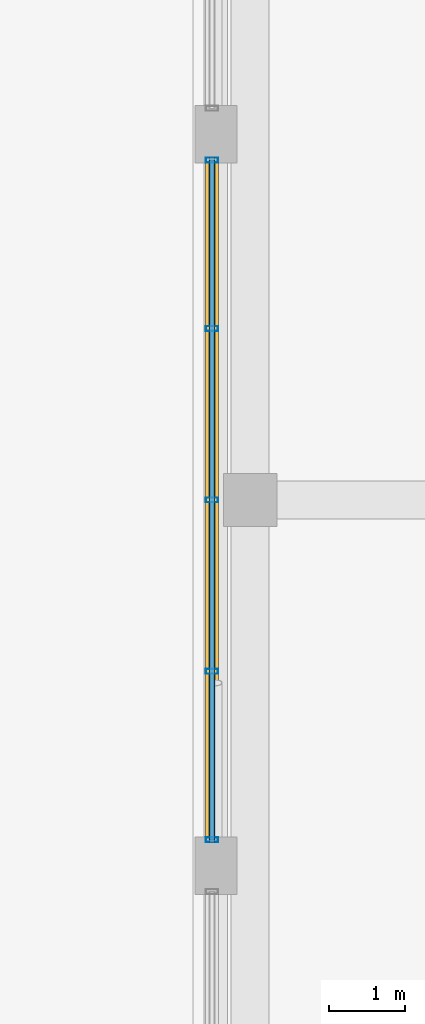
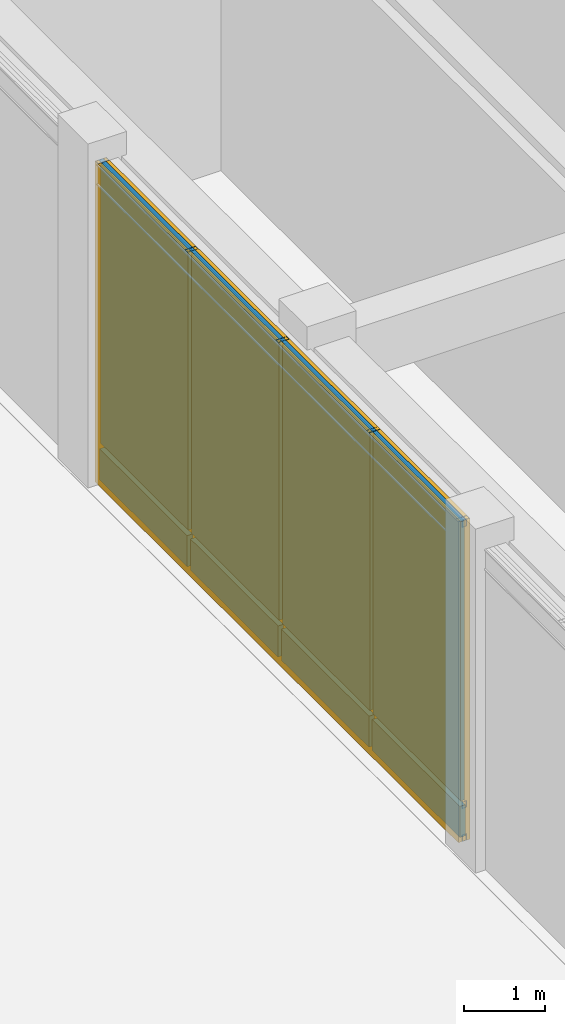
# One storey, part 15 of 24: 8 members, 8 plates, 1 curtain wall.
"""IFC4 building model written with IfcOpenShell, lengths in metres."""

import ifcopenshell
import ifcopenshell.guid

model = None  # the IFC model being written
_history = None  # IfcOwnerHistory: only IFC2X3 demands one
_inside = {}  # id of a spatial element -> (the spatial element, [elements in it])
_under = {}  # id of a project, library or spatial element -> (it, [spatial elements below it])
_declared = {}  # id of a project -> (the project, [libraries it declares])
_typed = {}  # id of a type object -> (the type object, [elements of that type])
_made_of = {}  # id of a material, layer set ... -> (it, [elements and type objects made of it])


def new_model(schema):
    """Start an empty IFC model of exactly this schema.

    Asked for "IFC4X3", IfcOpenShell would pick the latest addendum, in which some entities
    have other attributes; the version numbers below select the first issue.
    IFC2X3 requires an IfcOwnerHistory on every rooted entity: one is made here for all.
    """
    global model, _history
    if schema == "IFC4X3":
        model = ifcopenshell.file(schema_version=(4, 3, 0, 0))
    else:
        model = ifcopenshell.file(schema=schema)
    _inside.clear()
    _under.clear()
    _declared.clear()
    _typed.clear()
    _made_of.clear()
    _history = None
    if model.schema == "IFC2X3":
        org = make("IfcOrganization", Name="unknown")
        user = make(
            "IfcPersonAndOrganization",
            ThePerson=make("IfcPerson", FamilyName="unknown"),
            TheOrganization=org,
        )
        app = make(
            "IfcApplication",
            ApplicationDeveloper=org,
            Version="unknown",
            ApplicationFullName="unknown",
            ApplicationIdentifier="unknown",
        )
        _history = make(
            "IfcOwnerHistory",
            OwningUser=user,
            OwningApplication=app,
            ChangeAction="ADDED",
            CreationDate=0,
        )
    return model


def make(cls, **values):
    """One entity of the class cls with the attributes given. An attribute that is None is left unset."""
    return model.create_entity(
        cls, **{name: value for name, value in values.items() if value is not None}
    )


def rooted(cls, **values):
    """An entity with a GlobalId (a new one), such as an element, a storey or a relation."""
    return make(cls, GlobalId=ifcopenshell.guid.new(), OwnerHistory=_history, **values)


def si_unit(unit_type, name, prefix=None):
    """IfcSIUnit, for example si_unit("LENGTHUNIT", "METRE", prefix="MILLI")."""
    return make("IfcSIUnit", UnitType=unit_type, Prefix=prefix, Name=name)


def assignment(units):
    """IfcUnitAssignment: the units of a project."""
    return None if units is None else make("IfcUnitAssignment", Units=units)


def point(xyz):
    """IfcCartesianPoint."""
    return None if xyz is None else make("IfcCartesianPoint", Coordinates=xyz)


def direction(xyz):
    """IfcDirection."""
    return None if xyz is None else make("IfcDirection", DirectionRatios=xyz)


def frame(location, z_axis=None, x_axis=None):
    """IfcAxis2Placement3D, a coordinate frame: its origin and axes. An axis left out is left unset."""
    return make(
        "IfcAxis2Placement3D",
        Location=point(location),
        Axis=direction(z_axis),
        RefDirection=direction(x_axis),
    )


def frame_2d(location, x_axis=None):
    """IfcAxis2Placement2D, a coordinate frame in the plane: its origin and x axis."""
    return make(
        "IfcAxis2Placement2D", Location=point(location), RefDirection=direction(x_axis)
    )


def origin():
    """The frame at (0, 0, 0) with its axes left unset."""
    return frame((0.0, 0.0, 0.0))


def origin_2d():
    """The frame at (0, 0) in the plane with its x axis left unset."""
    return frame_2d((0.0, 0.0))


def place(relative_to, where):
    """IfcLocalPlacement: puts the frame where relative to a parent placement (None: the world)."""
    return make(
        "IfcLocalPlacement", PlacementRelTo=relative_to, RelativePlacement=where
    )


def context(
    kind, dimensions, precision=None, world=None, true_north=None, identifier=None
):
    """IfcGeometricRepresentationContext, for example the 3D "Model" context."""
    return make(
        "IfcGeometricRepresentationContext",
        ContextIdentifier=identifier,
        ContextType=kind,
        CoordinateSpaceDimension=dimensions,
        Precision=precision,
        WorldCoordinateSystem=world,
        TrueNorth=true_north,
    )


def subcontext(parent, identifier, kind, view, scale=None):
    """IfcGeometricRepresentationSubContext, for example "Body" below "Model"."""
    return make(
        "IfcGeometricRepresentationSubContext",
        ContextIdentifier=identifier,
        ContextType=kind,
        ParentContext=parent,
        TargetScale=scale,
        TargetView=view,
    )


def project(units=None, contexts=None):
    """IfcProject with its units and contexts."""
    return rooted(
        "IfcProject",
        Name="project",
        RepresentationContexts=contexts,
        UnitsInContext=assignment(units),
    )


def spatial(cls, under=None, at=None, **own):
    """A site, building, storey or space (cls), placed at a placement, below another one or the project."""
    s = rooted(cls, ObjectPlacement=at, **own)
    if under is not None:
        _under.setdefault(under.id(), (under, []))[1].append(s)
    return s


def profile(cls, at=None, kind="AREA", **sizes):
    """A parametric profile (cls). Its sizes go by their IFC names, for example OverallWidth=200.0."""
    return make(cls, ProfileType=kind, Position=at, **sizes)


def rectangle(**sizes):
    """IfcRectangleProfileDef."""
    return profile("IfcRectangleProfileDef", **sizes)


def hollow_rectangle(**sizes):
    """IfcRectangleHollowProfileDef."""
    return profile("IfcRectangleHollowProfileDef", **sizes)


def extrude(swept, where, along, depth):
    """IfcExtrudedAreaSolid: the profile swept, set in the frame where, extruded along a direction by depth."""
    return make(
        "IfcExtrudedAreaSolid",
        SweptArea=swept,
        Position=where,
        ExtrudedDirection=direction(along),
        Depth=depth,
    )


def shape(context_of_items, identifier, shape_type, items):
    """IfcShapeRepresentation: the items that make up one representation, for example the "Body"."""
    return make(
        "IfcShapeRepresentation",
        ContextOfItems=context_of_items,
        RepresentationIdentifier=identifier,
        RepresentationType=shape_type,
        Items=items,
    )


def material(Name=None, Category=None):
    """IfcMaterial."""
    return make("IfcMaterial", Name=Name, Category=Category)


def layer(
    of_material, thickness, ventilated=None, Name=None, Category=None, Priority=None
):
    """IfcMaterialLayer: one layer of a wall or slab, of a material (None: an air gap)."""
    return make(
        "IfcMaterialLayer",
        Material=of_material,
        LayerThickness=thickness,
        IsVentilated=ventilated,
        Name=Name,
        Category=Category,
        Priority=Priority,
    )


def layer_set(layers, Name=None):
    """IfcMaterialLayerSet."""
    return make("IfcMaterialLayerSet", MaterialLayers=layers, LayerSetName=Name)


def material_profile(
    of_material, cross_section, Name=None, Category=None, Priority=None
):
    """IfcMaterialProfile: a cross section and its material."""
    return make(
        "IfcMaterialProfile",
        Name=Name,
        Material=of_material,
        Profile=cross_section,
        Priority=Priority,
        Category=Category,
    )


def profile_set(profiles, Name=None, composite=None):
    """IfcMaterialProfileSet."""
    return make(
        "IfcMaterialProfileSet",
        Name=Name,
        MaterialProfiles=profiles,
        CompositeProfile=composite,
    )


def made_of(thing, what):
    """Note that an element or type object is made of a material, layer set ...; save() writes the relation."""
    if what is not None:
        _made_of.setdefault(what.id(), (what, []))[1].append(thing)
    return thing


def type_object(cls, material=None, **own):
    """A type object (cls), such as IfcWallType, which elements share."""
    return made_of(rooted(cls, **own), material)


def element(
    cls,
    number,
    at=None,
    inside=None,
    cuts=None,
    type_object=None,
    material=None,
    context=None,
    identifier="Body",
    shape_type=None,
    held_by="IfcProductDefinitionShape",
    body=None,
    shapes=None,
    **own,
):
    """One element of the class cls, such as IfcWall. Its Tag is "e" and its number.

    at: its placement. inside: the storey or other place that contains it. cuts: it is an
    opening in that element (IfcRelVoidsElement). A single representation is given by context,
    identifier, shape_type and body (its items); several are given by shapes. held_by: the class
    of the entity that holds the representations. save() writes the other relations.
    """
    e = rooted(cls, Tag="e%d" % number, ObjectPlacement=at, **own)
    if body is not None:
        shapes = [shape(context, identifier, shape_type, body)]
    if shapes is not None:
        e.Representation = make(held_by, Representations=shapes)
    if inside is not None:
        _inside.setdefault(inside.id(), (inside, []))[1].append(e)
    if cuts is not None:
        rooted(
            "IfcRelVoidsElement", RelatingBuildingElement=cuts, RelatedOpeningElement=e
        )
    if type_object is not None:
        _typed.setdefault(type_object.id(), (type_object, []))[1].append(e)
    return made_of(e, material)


def aggregate(whole, parts):
    """IfcRelAggregates: a whole, such as a stair, and the parts it consists of."""
    return rooted("IfcRelAggregates", RelatingObject=whole, RelatedObjects=parts)


def save(model, path):
    """Write the relations noted so far, then the file.

    IfcRelAggregates (storeys below a building ...), IfcRelContainedInSpatialStructure (elements
    in a storey), IfcRelDefinesByType, IfcRelAssociatesMaterial and IfcRelDeclares: one each for
    every whole, place, type object, material and project.
    """
    for whole, parts in _under.values():
        aggregate(whole, parts)
    for where, things in _inside.values():
        rooted(
            "IfcRelContainedInSpatialStructure",
            RelatedElements=things,
            RelatingStructure=where,
        )
    for kind, things in _typed.values():
        rooted("IfcRelDefinesByType", RelatedObjects=things, RelatingType=kind)
    for what, things in _made_of.values():
        rooted("IfcRelAssociatesMaterial", RelatedObjects=things, RelatingMaterial=what)
    for by, libraries in _declared.values():
        rooted("IfcRelDeclares", RelatingContext=by, RelatedDefinitions=libraries)
    model.write(path)


model = new_model("IFC4")

# Units and contexts
model_context = context("Model", 3, precision=1e-05, world=origin(), true_north=direction((0.0, 1.0)))
body_context = subcontext(model_context, "Body", "Model", "MODEL_VIEW")
ifc_project = project(units=[si_unit("LENGTHUNIT", "METRE"), si_unit("AREAUNIT", "SQUARE_METRE"), si_unit("VOLUMEUNIT", "CUBIC_METRE"), si_unit("PLANEANGLEUNIT", "RADIAN"), si_unit("MASSUNIT", "GRAM", prefix="KILO")], contexts=[model_context])

# Member
ifc_material_1 = material(Name="Anodized Aluminium 6063-T6", Category="aluminium")
ifc_material_profile_1 = material_profile(ifc_material_1, hollow_rectangle(XDim=0.06494140625, YDim=0.159912109375, WallThickness=0.00390625, at=origin_2d()), Name="Anodized Aluminium 6063-T6")
ifc_profile_set_1 = profile_set([ifc_material_profile_1], Name="Anodized Aluminium 6063-T6")
member_type_1 = type_object("IfcMemberType", Name="Curtain Wall Mullion 160", PredefinedType="MULLION", material=ifc_profile_set_1)
site_placement = place(None, origin())
building_placement = place(site_placement, origin())
storey_placement = place(building_placement, origin())
member_1_placement = place(storey_placement, frame((85.449951171875, 33.93994140625, 0.0), z_axis=(0.0, 0.0, 1.0), x_axis=(0.0, 1.0, 0.0)))
member_1 = element("IfcMember", 1, at=member_1_placement, type_object=member_type_1, Name="Curtain Wall Mullion CW-L00-LCOL-4-M01", PredefinedType="MULLION", context=body_context, shape_type="SweptSolid", body=[
    extrude(hollow_rectangle(XDim=0.06494140625, YDim=0.159912109375, WallThickness=0.00390625, at=origin_2d()), origin(), (0.0, 0.0, 1.0), 4.85009765625),
])

member_2_placement = place(storey_placement, frame((85.449951171875, 36.14990234375, 0.0), z_axis=(0.0, 0.0, 1.0), x_axis=(0.0, 1.0, 0.0)))
member_2 = element("IfcMember", 2, at=member_2_placement, type_object=member_type_1, Name="Curtain Wall Mullion CW-L00-LCOL-4-M02", PredefinedType="MULLION", context=body_context, shape_type="SweptSolid", body=[
    extrude(hollow_rectangle(XDim=0.06494140625, YDim=0.159912109375, WallThickness=0.00390625, at=origin_2d()), origin(), (0.0, 0.0, 1.0), 4.85009765625),
])

member_3_placement = place(storey_placement, frame((85.449951171875, 38.39990234375, 0.0), z_axis=(0.0, 0.0, 1.0), x_axis=(0.0, 1.0, 0.0)))
member_3 = element("IfcMember", 3, at=member_3_placement, type_object=member_type_1, Name="Curtain Wall Mullion CW-L00-LCOL-4-M03", PredefinedType="MULLION", context=body_context, shape_type="SweptSolid", body=[
    extrude(hollow_rectangle(XDim=0.06494140625, YDim=0.159912109375, WallThickness=0.00390625, at=origin_2d()), origin(), (0.0, 0.0, 1.0), 4.85009765625),
])

member_4_placement = place(storey_placement, frame((85.449951171875, 40.64990234375, 0.0), z_axis=(0.0, 0.0, 1.0), x_axis=(0.0, 1.0, 0.0)))
member_4 = element("IfcMember", 4, at=member_4_placement, type_object=member_type_1, Name="Curtain Wall Mullion CW-L00-LCOL-4-M04", PredefinedType="MULLION", context=body_context, shape_type="SweptSolid", body=[
    extrude(hollow_rectangle(XDim=0.06494140625, YDim=0.159912109375, WallThickness=0.00390625, at=origin_2d()), origin(), (0.0, 0.0, 1.0), 4.85009765625),
])

member_5_placement = place(storey_placement, frame((85.449951171875, 42.860107421875, 0.0), z_axis=(0.0, 0.0, 1.0), x_axis=(0.0, 1.0, 0.0)))
member_5 = element("IfcMember", 5, at=member_5_placement, type_object=member_type_1, Name="Curtain Wall Mullion CW-L00-LCOL-4-M05", PredefinedType="MULLION", context=body_context, shape_type="SweptSolid", body=[
    extrude(hollow_rectangle(XDim=0.06494140625, YDim=0.159912109375, WallThickness=0.00390625, at=origin_2d()), origin(), (0.0, 0.0, 1.0), 4.85009765625),
])

ifc_material_profile_2 = material_profile(ifc_material_1, hollow_rectangle(XDim=0.06005859375, YDim=0.10009765625, WallThickness=0.0029296875, at=origin_2d()), Name="Anodized Aluminium 6063-T6")
ifc_profile_set_2 = profile_set([ifc_material_profile_2], Name="Anodized Aluminium 6063-T6")
member_type_2 = type_object("IfcMemberType", Name="Curtain Wall Transom 100", PredefinedType="USERDEFINED", material=ifc_profile_set_2)
member_6_placement = place(storey_placement, frame((85.449951171875, 33.89990234375, 0.050048828125), z_axis=(0.0, 1.0, 0.0), x_axis=(-1.0, 0.0, 0.0)))
member_6 = element("IfcMember", 6, at=member_6_placement, type_object=member_type_2, Name="Curtain Wall Transom CW-L00-LCOL-4-T01", ObjectType="TRANSOM", PredefinedType="USERDEFINED", context=body_context, shape_type="SweptSolid", body=[
    extrude(hollow_rectangle(XDim=0.06005859375, YDim=0.10009765625, WallThickness=0.0029296875, at=origin_2d()), origin(), (0.0, 0.0, 1.0), 9.0),
])

member_7_placement = place(storey_placement, frame((85.449951171875, 33.89990234375, 0.550048828125), z_axis=(0.0, 1.0, 0.0), x_axis=(-1.0, 0.0, 0.0)))
member_7 = element("IfcMember", 7, at=member_7_placement, type_object=member_type_2, Name="Curtain Wall Transom CW-L00-LCOL-4-T02", ObjectType="TRANSOM", PredefinedType="USERDEFINED", context=body_context, shape_type="SweptSolid", body=[
    extrude(hollow_rectangle(XDim=0.06005859375, YDim=0.10009765625, WallThickness=0.0029296875, at=origin_2d()), origin(), (0.0, 0.0, 1.0), 9.0),
])

member_8_placement = place(storey_placement, frame((85.449951171875, 33.89990234375, 4.800048828125), z_axis=(0.0, 1.0, 0.0), x_axis=(-1.0, 0.0, 0.0)))
member_8 = element("IfcMember", 8, at=member_8_placement, type_object=member_type_2, Name="Curtain Wall Transom CW-L00-LCOL-4-T03", ObjectType="TRANSOM", PredefinedType="USERDEFINED", context=body_context, shape_type="SweptSolid", body=[
    extrude(hollow_rectangle(XDim=0.06005859375, YDim=0.10009765625, WallThickness=0.0029296875, at=origin_2d()), origin(), (0.0, 0.0, 1.0), 9.0),
])

# Plate
ifc_material_2 = material(Name="Bird-Friendly Fritted Triple Glazing", Category="glass")
ifc_layer_1 = layer(ifc_material_2, 0.052001953125, Name="Bird-Friendly Fritted Triple Glazing")
ifc_layer_set_1 = layer_set([ifc_layer_1], Name="Bird-Friendly Fritted Triple Glazing")
plate_type_1 = type_object("IfcPlateType", Name="Plate CWGlazing 52", PredefinedType="CURTAIN_PANEL", material=ifc_layer_set_1)
plate_1_placement = place(storey_placement, frame((85.449951171875, 35.02490234375, 0.58984375), z_axis=(0.0, 0.0, 1.0), x_axis=(0.0, 1.0, 0.0)))
plate_1 = element("IfcPlate", 9, at=plate_1_placement, type_object=plate_type_1, Name="Vision Glazing Panel CW-L00-LCOL-4-GL01", PredefinedType="CURTAIN_PANEL", context=body_context, shape_type="SweptSolid", body=[
    extrude(rectangle(XDim=2.169921875, YDim=0.052001953125, at=origin_2d()), origin(), (0.0, 0.0, 1.0), 4.219970703125),
])

plate_2_placement = place(storey_placement, frame((85.449951171875, 37.27490234375, 0.58984375), z_axis=(0.0, 0.0, 1.0), x_axis=(0.0, 1.0, 0.0)))
plate_2 = element("IfcPlate", 10, at=plate_2_placement, type_object=plate_type_1, Name="Vision Glazing Panel CW-L00-LCOL-4-GL02", PredefinedType="CURTAIN_PANEL", context=body_context, shape_type="SweptSolid", body=[
    extrude(rectangle(XDim=2.169921875, YDim=0.052001953125, at=origin_2d()), origin(), (0.0, 0.0, 1.0), 4.219970703125),
])

plate_3_placement = place(storey_placement, frame((85.449951171875, 39.52490234375, 0.58984375), z_axis=(0.0, 0.0, 1.0), x_axis=(0.0, 1.0, 0.0)))
plate_3 = element("IfcPlate", 11, at=plate_3_placement, type_object=plate_type_1, Name="Vision Glazing Panel CW-L00-LCOL-4-GL03", PredefinedType="CURTAIN_PANEL", context=body_context, shape_type="SweptSolid", body=[
    extrude(rectangle(XDim=2.169921875, YDim=0.052001953125, at=origin_2d()), origin(), (0.0, 0.0, 1.0), 4.219970703125),
])

plate_4_placement = place(storey_placement, frame((85.449951171875, 41.77490234375, 0.58984375), z_axis=(0.0, 0.0, 1.0), x_axis=(0.0, 1.0, 0.0)))
plate_4 = element("IfcPlate", 12, at=plate_4_placement, type_object=plate_type_1, Name="Vision Glazing Panel CW-L00-LCOL-4-GL04", PredefinedType="CURTAIN_PANEL", context=body_context, shape_type="SweptSolid", body=[
    extrude(rectangle(XDim=2.169921875, YDim=0.052001953125, at=origin_2d()), origin(), (0.0, 0.0, 1.0), 4.219970703125),
])

ifc_material_3 = material(Name="Insulated Aluminium Spandrel Panel", Category="aluminium")
ifc_layer_2 = layer(ifc_material_3, 0.080078125, Name="Insulated Aluminium Spandrel Panel")
ifc_layer_set_2 = layer_set([ifc_layer_2], Name="Insulated Aluminium Spandrel Panel")
plate_type_2 = type_object("IfcPlateType", Name="Plate CWSpandrel 80", PredefinedType="SHEET", material=ifc_layer_set_2)
plate_5_placement = place(storey_placement, frame((85.449951171875, 35.02490234375, 0.0400390625), z_axis=(0.0, 0.0, 1.0), x_axis=(0.0, 1.0, 0.0)))
plate_5 = element("IfcPlate", 13, at=plate_5_placement, type_object=plate_type_2, Name="Spandrel Panel CW-L00-LCOL-4-SP01", PredefinedType="SHEET", context=body_context, shape_type="SweptSolid", body=[
    extrude(rectangle(XDim=2.169921875, YDim=0.080078125, at=origin_2d()), origin(), (0.0, 0.0, 1.0), 0.469970703125),
])

plate_6_placement = place(storey_placement, frame((85.449951171875, 37.27490234375, 0.0400390625), z_axis=(0.0, 0.0, 1.0), x_axis=(0.0, 1.0, 0.0)))
plate_6 = element("IfcPlate", 14, at=plate_6_placement, type_object=plate_type_2, Name="Spandrel Panel CW-L00-LCOL-4-SP02", PredefinedType="SHEET", context=body_context, shape_type="SweptSolid", body=[
    extrude(rectangle(XDim=2.169921875, YDim=0.080078125, at=origin_2d()), origin(), (0.0, 0.0, 1.0), 0.469970703125),
])

plate_7_placement = place(storey_placement, frame((85.449951171875, 39.52490234375, 0.0400390625), z_axis=(0.0, 0.0, 1.0), x_axis=(0.0, 1.0, 0.0)))
plate_7 = element("IfcPlate", 15, at=plate_7_placement, type_object=plate_type_2, Name="Spandrel Panel CW-L00-LCOL-4-SP03", PredefinedType="SHEET", context=body_context, shape_type="SweptSolid", body=[
    extrude(rectangle(XDim=2.169921875, YDim=0.080078125, at=origin_2d()), origin(), (0.0, 0.0, 1.0), 0.469970703125),
])

plate_8_placement = place(storey_placement, frame((85.449951171875, 41.77490234375, 0.0400390625), z_axis=(0.0, 0.0, 1.0), x_axis=(0.0, 1.0, 0.0)))
plate_8 = element("IfcPlate", 16, at=plate_8_placement, type_object=plate_type_2, Name="Spandrel Panel CW-L00-LCOL-4-SP04", PredefinedType="SHEET", context=body_context, shape_type="SweptSolid", body=[
    extrude(rectangle(XDim=2.169921875, YDim=0.080078125, at=origin_2d()), origin(), (0.0, 0.0, 1.0), 0.469970703125),
])

# Site, building, storey
site = spatial("IfcSite", under=ifc_project, at=site_placement, CompositionType="ELEMENT")
building = spatial("IfcBuilding", under=site, at=building_placement, Name="Norrvale University Quadrangle", CompositionType="ELEMENT")
storey = spatial("IfcBuildingStorey", under=building, at=storey_placement, Name="L00", CompositionType="ELEMENT", Elevation=0.0)

# Curtain wall
ifc_material_4 = material(Name="Anodized Aluminium and Triple Glazing", Category="glass")
curtain_wall_type = type_object("IfcCurtainWallType", Name="Curtain Wall System 5 Lib Colonnade", PredefinedType="NOTDEFINED", material=ifc_material_4)
curtain_wall_placement = place(storey_placement, frame((85.449951171875, 33.89990234375, 0.0), z_axis=(0.0, 0.0, 1.0), x_axis=(0.0, 1.0, 0.0)))
curtain_wall = element("IfcCurtainWall", 17, at=curtain_wall_placement, inside=storey, type_object=curtain_wall_type, Name="Curtain Wall CW System 5 Lib Colonnade CW-L00-LCOL-4", PredefinedType="NOTDEFINED", context=body_context, shape_type="SweptSolid", body=[
    extrude(rectangle(XDim=9.0, YDim=0.1650390625, at=frame_2d((4.5, 0.0))), origin(), (0.0, 0.0, 1.0), 4.85009765625),
])

aggregate(curtain_wall, [member_1, member_2, member_3, member_4, member_5, member_6, member_7, member_8, plate_5, plate_1, plate_6, plate_2, plate_7, plate_3, plate_8, plate_4])

save(model, "model.ifc")
